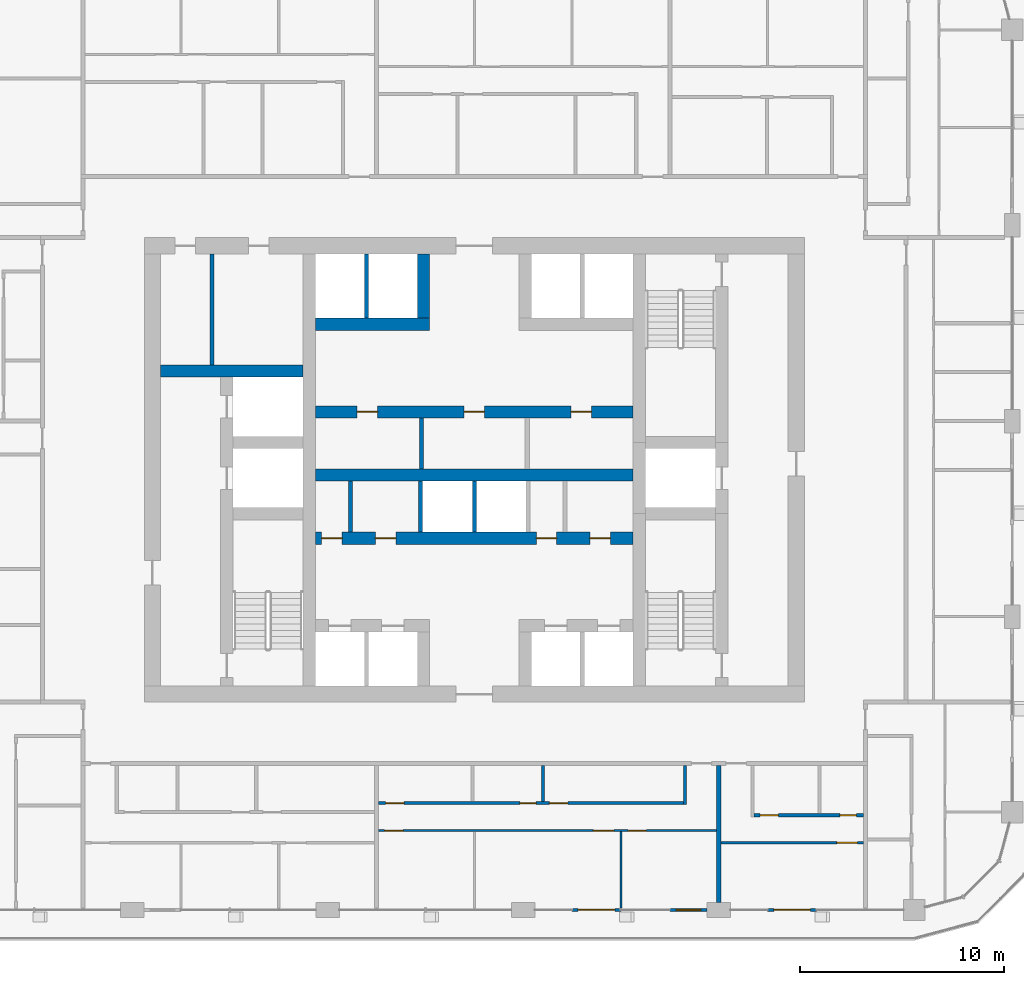
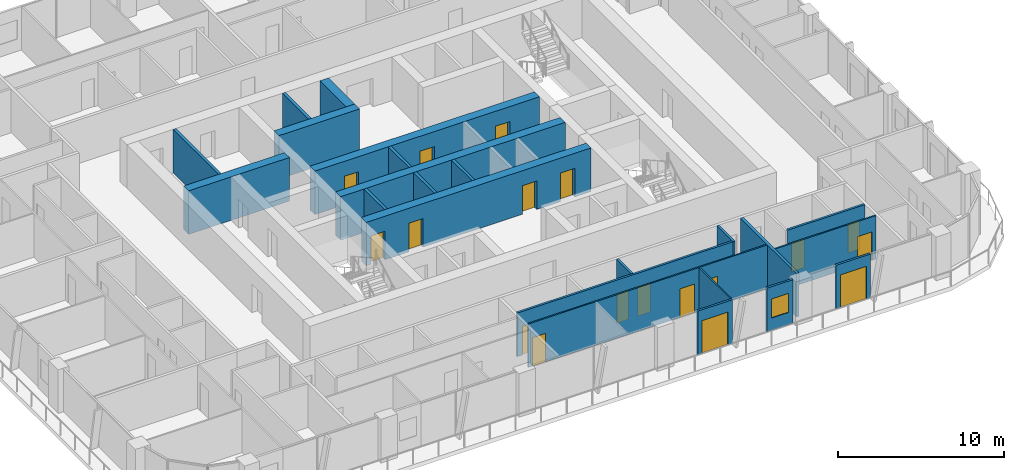
# One storey, part 11 of 22: 23 walls, 18 doors, 1 window, 19 openings.
"""IFC4 building model written with IfcOpenShell, lengths in metres."""

from ifc_helpers import new_model, si_unit, direction, frame, frame_2d, origin, place, context, subcontext, project, spatial, rectangle, extrude, material, layer, layer_set, type_object, element, fill, save


model = new_model("IFC4")

# Units and contexts
model_context = context("Model", 3, precision=1e-05, world=origin(), true_north=direction((0.0, 1.0)))
body_context = subcontext(model_context, "Body", "Model", "MODEL_VIEW")
ifc_project = project(units=[si_unit("LENGTHUNIT", "METRE"), si_unit("AREAUNIT", "SQUARE_METRE"), si_unit("VOLUMEUNIT", "CUBIC_METRE"), si_unit("PLANEANGLEUNIT", "RADIAN"), si_unit("MASSUNIT", "GRAM", prefix="KILO")], contexts=[model_context])

# Site, building, storey
site_placement = place(None, origin())
site = spatial("IfcSite", under=ifc_project, at=site_placement, CompositionType="ELEMENT")
building_placement = place(site_placement, origin())
building = spatial("IfcBuilding", under=site, at=building_placement, Name="Madar Terraces", CompositionType="ELEMENT")
storey_placement = place(building_placement, frame((0.0, 0.0, 122.60009765625)))
storey = spatial("IfcBuildingStorey", under=building, at=storey_placement, Name="L31", CompositionType="ELEMENT", Elevation=122.60009765625)

# Wall
ifc_material_1 = material(Name="Concrete C70/85", Category="concrete")
ifc_layer_1 = layer(ifc_material_1, 0.60009765625)
ifc_layer_set_1 = layer_set([ifc_layer_1], Name="Concrete C70/85 (CIW3 RC wall 600)")
wall_type_1 = type_object("IfcWallType", Name="CIW3 RC wall 600", PredefinedType="SHEAR", material=ifc_layer_set_1)
wall_1_placement = place(storey_placement, frame((15.800048828125, 31.25, 0.0), z_axis=(0.0, 0.0, 1.0), x_axis=(1.0, 0.0, 0.0)))
element("IfcWall", 1, at=wall_1_placement, inside=storey, type_object=wall_type_1, Name="CORE SHAFT WALL", PredefinedType="SHEAR", context=body_context, shape_type="SweptSolid", body=[
    extrude(rectangle(XDim=7.0, YDim=0.60009765625, at=frame_2d((3.5, 0.0))), origin(), (0.0, 0.0, 1.0), 3.199951171875),
])

# Wall, openings, doors
wall_2_placement = place(storey_placement, frame((23.39990234375, 23.050048828125, 0.0), z_axis=(0.0, 0.0, 1.0), x_axis=(1.0, 0.0, 0.0)))
wall_2 = element("IfcWall", 2, at=wall_2_placement, inside=storey, type_object=wall_type_1, Name="CORE SHAFT WALL", PredefinedType="SHEAR", context=body_context, shape_type="SweptSolid", body=[
    extrude(rectangle(XDim=15.60009765625, YDim=0.60009765625, at=frame_2d((7.800048828125, 0.0))), origin(), (0.0, 0.0, 1.0), 3.199951171875),
])
opening_1_placement = place(wall_2_placement, frame((0.311279296875, 0.0, 0.0)))
opening_1 = element("IfcOpeningElement", 3, at=opening_1_placement, cuts=wall_2, Name="Opening KD2", PredefinedType="OPENING", context=body_context, shape_type="SweptSolid", body=[
    extrude(rectangle(XDim=1.0, YDim=2.10009765625, at=frame_2d((0.5, 1.050048828125))), frame((0.0, 0.31005859375, 0.0), z_axis=(0.0, -1.0, 0.0), x_axis=(1.0, 0.0, 0.0)), (0.0, 0.0, 1.0), 0.6201171875),
])
opening_2_placement = place(wall_2_placement, frame((2.944580078125, 0.0, 0.0)))
opening_2 = element("IfcOpeningElement", 4, at=opening_2_placement, cuts=wall_2, Name="Opening KD2", PredefinedType="OPENING", context=body_context, shape_type="SweptSolid", body=[
    extrude(rectangle(XDim=1.0, YDim=2.10009765625, at=frame_2d((0.5, 1.050048828125))), frame((0.0, 0.31005859375, 0.0), z_axis=(0.0, -1.0, 0.0), x_axis=(1.0, 0.0, 0.0)), (0.0, 0.0, 1.0), 0.6201171875),
])
opening_3_placement = place(wall_2_placement, frame((10.8447265625, 0.0, 0.0)))
opening_3 = element("IfcOpeningElement", 5, at=opening_3_placement, cuts=wall_2, Name="Opening KD2", PredefinedType="OPENING", context=body_context, shape_type="SweptSolid", body=[
    extrude(rectangle(XDim=1.0, YDim=2.10009765625, at=frame_2d((0.5, 1.050048828125))), frame((0.0, 0.31005859375, 0.0), z_axis=(0.0, -1.0, 0.0), x_axis=(1.0, 0.0, 0.0)), (0.0, 0.0, 1.0), 0.6201171875),
])
opening_4_placement = place(wall_2_placement, frame((13.47802734375, 0.0, 0.0)))
opening_4 = element("IfcOpeningElement", 6, at=opening_4_placement, cuts=wall_2, Name="Opening KD2", PredefinedType="OPENING", context=body_context, shape_type="SweptSolid", body=[
    extrude(rectangle(XDim=1.0, YDim=2.10009765625, at=frame_2d((0.5, 1.050048828125))), frame((0.0, 0.31005859375, 0.0), z_axis=(0.0, -1.0, 0.0), x_axis=(1.0, 0.0, 0.0)), (0.0, 0.0, 1.0), 0.6201171875),
])
ifc_material_2 = material(Name="Steel door leaf", Category="steel")
door_type_1 = type_object("IfcDoorType", Name="Service room door 1000 x 2100", OperationType="NOTDEFINED", PredefinedType="DOOR", material=ifc_material_2)
door_1_placement = place(opening_1_placement, frame((1.0, 0.0, 0.0), z_axis=(0.0, 0.0, 1.0), x_axis=(-1.0, 0.0, 0.0)))
door_1 = element("IfcDoor", 7, at=door_1_placement, inside=storey, type_object=door_type_1, Name="SERVICE ROOM DOOR", OperationType="SINGLE_SWING_RIGHT", OverallHeight=2.10009765625, OverallWidth=1.0, PredefinedType="DOOR", context=body_context, shape_type="SweptSolid", body=[
    extrude(rectangle(XDim=1.0, YDim=2.10009765625, at=frame_2d((0.5, 1.050048828125))), frame((0.0, 0.02490234375, 0.0), z_axis=(0.0, -1.0, 0.0), x_axis=(1.0, 0.0, 0.0)), (0.0, 0.0, 1.0), 0.050048828125),
])
fill(opening_1, door_1)
door_2_placement = place(opening_2_placement, frame((1.0, 0.0, 0.0), z_axis=(0.0, 0.0, 1.0), x_axis=(-1.0, 0.0, 0.0)))
door_2 = element("IfcDoor", 8, at=door_2_placement, inside=storey, type_object=door_type_1, Name="SERVICE ROOM DOOR", OperationType="SINGLE_SWING_LEFT", OverallHeight=2.10009765625, OverallWidth=1.0, PredefinedType="DOOR", context=body_context, shape_type="SweptSolid", body=[
    extrude(rectangle(XDim=1.0, YDim=2.10009765625, at=frame_2d((0.5, 1.050048828125))), frame((0.0, 0.02490234375, 0.0), z_axis=(0.0, -1.0, 0.0), x_axis=(1.0, 0.0, 0.0)), (0.0, 0.0, 1.0), 0.050048828125),
])
fill(opening_2, door_2)
door_3_placement = place(opening_3_placement, frame((1.0, 0.0, 0.0), z_axis=(0.0, 0.0, 1.0), x_axis=(-1.0, 0.0, 0.0)))
door_3 = element("IfcDoor", 9, at=door_3_placement, inside=storey, type_object=door_type_1, Name="SERVICE ROOM DOOR", OperationType="SINGLE_SWING_RIGHT", OverallHeight=2.10009765625, OverallWidth=1.0, PredefinedType="DOOR", context=body_context, shape_type="SweptSolid", body=[
    extrude(rectangle(XDim=1.0, YDim=2.10009765625, at=frame_2d((0.5, 1.050048828125))), frame((0.0, 0.02490234375, 0.0), z_axis=(0.0, -1.0, 0.0), x_axis=(1.0, 0.0, 0.0)), (0.0, 0.0, 1.0), 0.050048828125),
])
fill(opening_3, door_3)
door_4_placement = place(opening_4_placement, frame((1.0, 0.0, 0.0), z_axis=(0.0, 0.0, 1.0), x_axis=(-1.0, 0.0, 0.0)))
door_4 = element("IfcDoor", 10, at=door_4_placement, inside=storey, type_object=door_type_1, Name="SERVICE ROOM DOOR", OperationType="SINGLE_SWING_LEFT", OverallHeight=2.10009765625, OverallWidth=1.0, PredefinedType="DOOR", context=body_context, shape_type="SweptSolid", body=[
    extrude(rectangle(XDim=1.0, YDim=2.10009765625, at=frame_2d((0.5, 1.050048828125))), frame((0.0, 0.02490234375, 0.0), z_axis=(0.0, -1.0, 0.0), x_axis=(1.0, 0.0, 0.0)), (0.0, 0.0, 1.0), 0.050048828125),
])
fill(opening_4, door_4)

# Wall
wall_3_placement = place(storey_placement, frame((23.39990234375, 26.14990234375, 0.0), z_axis=(0.0, 0.0, 1.0), x_axis=(1.0, 0.0, 0.0)))
element("IfcWall", 11, at=wall_3_placement, inside=storey, type_object=wall_type_1, Name="CORE SHAFT WALL", PredefinedType="SHEAR", context=body_context, shape_type="SweptSolid", body=[
    extrude(rectangle(XDim=15.60009765625, YDim=0.60009765625, at=frame_2d((7.800048828125, 0.0))), origin(), (0.0, 0.0, 1.0), 3.199951171875),
])

# Wall, openings, doors
wall_4_placement = place(storey_placement, frame((23.39990234375, 29.25, 0.0), z_axis=(0.0, 0.0, 1.0), x_axis=(1.0, 0.0, 0.0)))
wall_4 = element("IfcWall", 12, at=wall_4_placement, inside=storey, type_object=wall_type_1, Name="CORE SHAFT WALL", PredefinedType="SHEAR", context=body_context, shape_type="SweptSolid", body=[
    extrude(rectangle(XDim=15.60009765625, YDim=0.60009765625, at=frame_2d((7.800048828125, 0.0))), origin(), (0.0, 0.0, 1.0), 3.199951171875),
])
opening_5_placement = place(wall_4_placement, frame((2.050048828125, 0.0, 0.0)))
opening_5 = element("IfcOpeningElement", 13, at=opening_5_placement, cuts=wall_4, Name="Opening KD2", PredefinedType="OPENING", context=body_context, shape_type="SweptSolid", body=[
    extrude(rectangle(XDim=1.0, YDim=2.10009765625, at=frame_2d((0.5, 1.050048828125))), frame((0.0, 0.31005859375, 0.0), z_axis=(0.0, -1.0, 0.0), x_axis=(1.0, 0.0, 0.0)), (0.0, 0.0, 1.0), 0.6201171875),
])
opening_6_placement = place(wall_4_placement, frame((7.300048828125, 0.0, 0.0)))
opening_6 = element("IfcOpeningElement", 14, at=opening_6_placement, cuts=wall_4, Name="Opening KD2", PredefinedType="OPENING", context=body_context, shape_type="SweptSolid", body=[
    extrude(rectangle(XDim=1.0, YDim=2.10009765625, at=frame_2d((0.5, 1.050048828125))), frame((0.0, 0.31005859375, 0.0), z_axis=(0.0, -1.0, 0.0), x_axis=(1.0, 0.0, 0.0)), (0.0, 0.0, 1.0), 0.6201171875),
])
opening_7_placement = place(wall_4_placement, frame((12.550048828125, 0.0, 0.0)))
opening_7 = element("IfcOpeningElement", 15, at=opening_7_placement, cuts=wall_4, Name="Opening KD2", PredefinedType="OPENING", context=body_context, shape_type="SweptSolid", body=[
    extrude(rectangle(XDim=1.0, YDim=2.10009765625, at=frame_2d((0.5, 1.050048828125))), frame((0.0, 0.31005859375, 0.0), z_axis=(0.0, -1.0, 0.0), x_axis=(1.0, 0.0, 0.0)), (0.0, 0.0, 1.0), 0.6201171875),
])
door_5_placement = place(opening_5_placement, origin())
door_5 = element("IfcDoor", 16, at=door_5_placement, inside=storey, type_object=door_type_1, Name="SERVICE ROOM DOOR", OperationType="SINGLE_SWING_RIGHT", OverallHeight=2.10009765625, OverallWidth=1.0, PredefinedType="DOOR", context=body_context, shape_type="SweptSolid", body=[
    extrude(rectangle(XDim=1.0, YDim=2.10009765625, at=frame_2d((0.5, 1.050048828125))), frame((0.0, 0.02490234375, 0.0), z_axis=(0.0, -1.0, 0.0), x_axis=(1.0, 0.0, 0.0)), (0.0, 0.0, 1.0), 0.050048828125),
])
fill(opening_5, door_5)
door_6_placement = place(opening_6_placement, origin())
door_6 = element("IfcDoor", 17, at=door_6_placement, inside=storey, type_object=door_type_1, Name="SERVICE ROOM DOOR", OperationType="SINGLE_SWING_LEFT", OverallHeight=2.10009765625, OverallWidth=1.0, PredefinedType="DOOR", context=body_context, shape_type="SweptSolid", body=[
    extrude(rectangle(XDim=1.0, YDim=2.10009765625, at=frame_2d((0.5, 1.050048828125))), frame((0.0, 0.02490234375, 0.0), z_axis=(0.0, -1.0, 0.0), x_axis=(1.0, 0.0, 0.0)), (0.0, 0.0, 1.0), 0.050048828125),
])
fill(opening_6, door_6)
door_7_placement = place(opening_7_placement, origin())
door_7 = element("IfcDoor", 18, at=door_7_placement, inside=storey, type_object=door_type_1, Name="SERVICE ROOM DOOR", OperationType="SINGLE_SWING_RIGHT", OverallHeight=2.10009765625, OverallWidth=1.0, PredefinedType="DOOR", context=body_context, shape_type="SweptSolid", body=[
    extrude(rectangle(XDim=1.0, YDim=2.10009765625, at=frame_2d((0.5, 1.050048828125))), frame((0.0, 0.02490234375, 0.0), z_axis=(0.0, -1.0, 0.0), x_axis=(1.0, 0.0, 0.0)), (0.0, 0.0, 1.0), 0.050048828125),
])
fill(opening_7, door_7)

# Walls
wall_5_placement = place(storey_placement, frame((23.39990234375, 33.550048828125, 0.0), z_axis=(0.0, 0.0, 1.0), x_axis=(1.0, 0.0, 0.0)))
element("IfcWall", 19, at=wall_5_placement, inside=storey, type_object=wall_type_1, Name="CORE SHAFT WALL", PredefinedType="SHEAR", context=body_context, shape_type="SweptSolid", body=[
    extrude(rectangle(XDim=5.60009765625, YDim=0.60009765625, at=frame_2d((2.800048828125, 0.0))), origin(), (0.0, 0.0, 1.0), 3.199951171875),
])
wall_6_placement = place(storey_placement, frame((28.699951171875, 33.85009765625, 0.0), z_axis=(0.0, 0.0, 1.0), x_axis=(0.0, 1.0, 0.0)))
element("IfcWall", 20, at=wall_6_placement, inside=storey, type_object=wall_type_1, Name="CORE SHAFT WALL", PredefinedType="SHEAR", context=body_context, shape_type="SweptSolid", body=[
    extrude(rectangle(XDim=3.14990234375, YDim=0.60009765625, at=frame_2d((1.574951171875, 0.0))), origin(), (0.0, 0.0, 1.0), 3.199951171875),
])
ifc_material_3 = material(Name="Masonry blockwork", Category="masonry")
ifc_layer_2 = layer(ifc_material_3, 0.199951171875)
ifc_layer_set_2 = layer_set([ifc_layer_2], Name="Core partition 200 blockwork")
wall_type_2 = type_object("IfcWallType", Name="Core partition 200 blockwork", PredefinedType="PARTITIONING", material=ifc_layer_set_2)
wall_7_placement = place(storey_placement, frame((18.320068359375, 31.550048828125, 0.0), z_axis=(0.0, 0.0, 1.0), x_axis=(0.0, 1.0, 0.0)))
element("IfcWall", 21, at=wall_7_placement, inside=storey, type_object=wall_type_2, Name="SERVICE ROOM PARTITION", PredefinedType="PARTITIONING", context=body_context, shape_type="SweptSolid", body=[
    extrude(rectangle(XDim=5.449951171875, YDim=0.199951171875, at=frame_2d((2.72509765625, 0.0))), origin(), (0.0, 0.0, 1.0), 3.199951171875),
])
for number, where, z_axis, x_axis, name in (
    (22, (25.12255859375, 23.35009765625, 0.0), (0.0, 0.0, 1.0), (0.0, 1.0, 0.0), "SERVICE ROOM PARTITION"),
    (23, (28.60009765625, 26.449951171875, 0.0), (0.0, 0.0, 1.0), (0.0, 1.0, 0.0), "SERVICE ROOM PARTITION"),
):
    element("IfcWall", number, at=place(storey_placement, frame(where, z_axis=z_axis, x_axis=x_axis)), inside=storey, type_object=wall_type_2, Name=name, PredefinedType="PARTITIONING", context=body_context, shape_type="SweptSolid", body=[
        extrude(rectangle(XDim=2.5, YDim=0.199951171875, at=frame_2d((1.25, 0.0))), origin(), (0.0, 0.0, 1.0), 3.199951171875),
    ])
ifc_material_4 = material(Name="Concrete C40/50", Category="concrete")
ifc_layer_3 = layer(ifc_material_4, 0.199951171875)
ifc_layer_set_3 = layer_set([ifc_layer_3], Name="Core shaft dividing wall 200 C40/50")
wall_type_3 = type_object("IfcWallType", Name="Core shaft dividing wall 200 C40/50", PredefinedType="SOLIDWALL", material=ifc_layer_set_3)
for number, where, z_axis, x_axis, name in (
    (24, (28.566650390625, 23.35009765625, 0.0), (0.0, 0.0, 1.0), (0.0, 1.0, 0.0), "SHAFT DIVIDING WALL"),
    (25, (31.199951171875, 23.35009765625, 0.0), (0.0, 0.0, 1.0), (0.0, 1.0, 0.0), "SHAFT DIVIDING WALL"),
):
    element("IfcWall", number, at=place(storey_placement, frame(where, z_axis=z_axis, x_axis=x_axis)), inside=storey, type_object=wall_type_3, Name=name, PredefinedType="SOLIDWALL", context=body_context, shape_type="SweptSolid", body=[
        extrude(rectangle(XDim=2.5, YDim=0.199951171875, at=frame_2d((1.25, 0.0))), origin(), (0.0, 0.0, 1.0), 3.199951171875),
    ])
wall_8_placement = place(storey_placement, frame((25.89990234375, 33.85009765625, 0.0), z_axis=(0.0, 0.0, 1.0), x_axis=(0.0, 1.0, 0.0)))
element("IfcWall", 26, at=wall_8_placement, inside=storey, type_object=wall_type_3, Name="SHAFT DIVIDING WALL", PredefinedType="SOLIDWALL", context=body_context, shape_type="SweptSolid", body=[
    extrude(rectangle(XDim=3.14990234375, YDim=0.199951171875, at=frame_2d((1.574951171875, 0.0))), origin(), (0.0, 0.0, 1.0), 3.199951171875),
])

# Wall, opening, door
ifc_material_5 = material(Name="Aluminium composite panel, black, over insulated backing", Category="aluminium")
ifc_layer_4 = layer(ifc_material_5, 0.14990234375)
ifc_layer_set_4 = layer_set([ifc_layer_4], Name="Facade bay panel 150")
wall_type_4 = type_object("IfcWallType", Name="Facade bay panel 150", PredefinedType="SOLIDWALL", material=ifc_layer_set_4)
wall_9_placement = place(storey_placement, frame((36.0, 4.800048828125, 0.0), z_axis=(0.0, 0.0, 1.0), x_axis=(1.0, 0.0, 0.0)))
wall_9 = element("IfcWall", 27, at=wall_9_placement, inside=storey, type_object=wall_type_4, Name="Facade bay panel", PredefinedType="SOLIDWALL", context=body_context, shape_type="SweptSolid", body=[
    extrude(rectangle(XDim=2.39990234375, YDim=0.14990234375, at=frame_2d((1.199951171875, 0.0))), origin(), (0.0, 0.0, 1.0), 3.199951171875),
])
opening_8_placement = place(wall_9_placement, frame((0.300048828125, 0.0, 0.0)))
opening_8 = element("IfcOpeningElement", 28, at=opening_8_placement, cuts=wall_9, Name="Opening ED1", PredefinedType="OPENING", context=body_context, shape_type="SweptSolid", body=[
    extrude(rectangle(XDim=1.800048828125, YDim=2.39990234375, at=frame_2d((0.89990234375, 1.199951171875))), frame((0.0, 0.0849609375, 0.0), z_axis=(0.0, -1.0, 0.0), x_axis=(1.0, 0.0, 0.0)), (0.0, 0.0, 1.0), 0.169921875),
])
ifc_material_6 = material(Name="Glass, clear, with black aluminium frame", Category="aluminium")
door_type_2 = type_object("IfcDoorType", Name="Balcony and terrace sliding door 1800 x 2400", OperationType="SLIDING_TO_LEFT", PredefinedType="DOOR", material=ifc_material_6)
door_8_placement = place(opening_8_placement, origin())
door_8 = element("IfcDoor", 29, at=door_8_placement, inside=storey, type_object=door_type_2, Name="Balcony door", OperationType="SLIDING_TO_LEFT", OverallHeight=2.39990234375, OverallWidth=1.800048828125, PredefinedType="DOOR", context=body_context, shape_type="SweptSolid", body=[
    extrude(rectangle(XDim=1.800048828125, YDim=2.39990234375, at=frame_2d((0.89990234375, 1.199951171875))), frame((0.0, 0.02490234375, 0.0), z_axis=(0.0, -1.0, 0.0), x_axis=(1.0, 0.0, 0.0)), (0.0, 0.0, 1.0), 0.050048828125),
])
fill(opening_8, door_8)

# Wall, opening, window
wall_10_placement = place(storey_placement, frame((40.800048828125, 4.800048828125, 0.0), z_axis=(0.0, 0.0, 1.0), x_axis=(1.0, 0.0, 0.0)))
wall_10 = element("IfcWall", 30, at=wall_10_placement, inside=storey, type_object=wall_type_4, Name="Facade bay panel", PredefinedType="SOLIDWALL", context=body_context, shape_type="SweptSolid", body=[
    extrude(rectangle(XDim=1.824951171875, YDim=0.14990234375, at=frame_2d((0.91259765625, 0.0))), origin(), (0.0, 0.0, 1.0), 3.199951171875),
])
opening_9_placement = place(wall_10_placement, frame((0.3125, 0.0, 0.89990234375)))
opening_9 = element("IfcOpeningElement", 31, at=opening_9_placement, cuts=wall_10, Name="Opening W1", PredefinedType="OPENING", context=body_context, shape_type="SweptSolid", body=[
    extrude(rectangle(XDim=1.199951171875, YDim=1.39990234375, at=frame_2d((0.60009765625, 0.699951171875))), frame((0.0, 0.0849609375, 0.0), z_axis=(0.0, -1.0, 0.0), x_axis=(1.0, 0.0, 0.0)), (0.0, 0.0, 1.0), 0.169921875),
])
ifc_material_7 = material(Name="Glass, clear, with black aluminium frame", Category="aluminium")
window_type = type_object("IfcWindowType", Name="Vent window 1200 x 1400", PartitioningType="SINGLE_PANEL", PredefinedType="WINDOW", material=ifc_material_7)
window_placement = place(opening_9_placement, origin())
window = element("IfcWindow", 32, at=window_placement, inside=storey, type_object=window_type, Name="Operable vent window", OverallHeight=1.39990234375, OverallWidth=1.199951171875, PartitioningType="SINGLE_PANEL", PredefinedType="WINDOW", context=body_context, shape_type="SweptSolid", body=[
    extrude(rectangle(XDim=1.199951171875, YDim=1.39990234375, at=frame_2d((0.60009765625, 0.699951171875))), frame((0.0, 0.030029296875, 0.0), z_axis=(0.0, -1.0, 0.0), x_axis=(1.0, 0.0, 0.0)), (0.0, 0.0, 1.0), 0.06005859375),
])
fill(opening_9, window)

# Wall, opening, door
wall_11_placement = place(storey_placement, frame((45.60009765625, 4.800048828125, 0.0), z_axis=(0.0, 0.0, 1.0), x_axis=(1.0, 0.0, 0.0)))
wall_11 = element("IfcWall", 33, at=wall_11_placement, inside=storey, type_object=wall_type_4, Name="Facade bay panel", PredefinedType="SOLIDWALL", context=body_context, shape_type="SweptSolid", body=[
    extrude(rectangle(XDim=2.39990234375, YDim=0.14990234375, at=frame_2d((1.199951171875, 0.0))), origin(), (0.0, 0.0, 1.0), 3.199951171875),
])
opening_10_placement = place(wall_11_placement, frame((0.300048828125, 0.0, 0.0)))
opening_10 = element("IfcOpeningElement", 34, at=opening_10_placement, cuts=wall_11, Name="Opening ED1", PredefinedType="OPENING", context=body_context, shape_type="SweptSolid", body=[
    extrude(rectangle(XDim=1.800048828125, YDim=2.39990234375, at=frame_2d((0.89990234375, 1.199951171875))), frame((0.0, 0.0849609375, 0.0), z_axis=(0.0, -1.0, 0.0), x_axis=(1.0, 0.0, 0.0)), (0.0, 0.0, 1.0), 0.169921875),
])
door_9_placement = place(opening_10_placement, origin())
door_9 = element("IfcDoor", 35, at=door_9_placement, inside=storey, type_object=door_type_2, Name="Balcony door", OperationType="SLIDING_TO_RIGHT", OverallHeight=2.39990234375, OverallWidth=1.800048828125, PredefinedType="DOOR", context=body_context, shape_type="SweptSolid", body=[
    extrude(rectangle(XDim=1.800048828125, YDim=2.39990234375, at=frame_2d((0.89990234375, 1.199951171875))), frame((0.0, 0.02490234375, 0.0), z_axis=(0.0, -1.0, 0.0), x_axis=(1.0, 0.0, 0.0)), (0.0, 0.0, 1.0), 0.050048828125),
])
fill(opening_10, door_9)

# Wall
ifc_material_8 = material(Name="Gypsum board on steel studs", Category="steel")
ifc_layer_5 = layer(ifc_material_8, 0.10009765625)
ifc_layer_set_5 = layer_set([ifc_layer_5], Name="Flat partition 100")
wall_type_5 = type_object("IfcWallType", Name="Flat partition 100", PredefinedType="PARTITIONING", material=ifc_layer_set_5)
wall_12_placement = place(storey_placement, frame((38.39990234375, 8.64990234375, 0.0), z_axis=(0.0, 0.0, 1.0), x_axis=(0.0, -1.0, 0.0)))
element("IfcWall", 36, at=wall_12_placement, inside=storey, type_object=wall_type_5, Name="Flat partition 100", PredefinedType="PARTITIONING", context=body_context, shape_type="SweptSolid", body=[
    extrude(rectangle(XDim=3.75, YDim=0.10009765625, at=frame_2d((1.875, 0.0))), origin(), (0.0, 0.0, 1.0), 3.199951171875),
])

# Wall, openings, doors
wall_13_placement = place(storey_placement, frame((43.10009765625, 8.699951171875, 0.0), z_axis=(0.0, 0.0, 1.0), x_axis=(-1.0, 0.0, 0.0)))
wall_13 = element("IfcWall", 37, at=wall_13_placement, inside=storey, type_object=wall_type_5, Name="Flat partition 100", PredefinedType="PARTITIONING", context=body_context, shape_type="SweptSolid", body=[
    extrude(rectangle(XDim=16.60009765625, YDim=0.10009765625, at=frame_2d((8.300048828125, 0.0))), origin(), (0.0, 0.0, 1.0), 3.199951171875),
])
opening_11_placement = place(wall_13_placement, frame((3.449951171875, 0.0, 0.0)))
opening_11 = element("IfcOpeningElement", 38, at=opening_11_placement, cuts=wall_13, Name="Opening D2", PredefinedType="OPENING", context=body_context, shape_type="SweptSolid", body=[
    extrude(rectangle(XDim=0.89990234375, YDim=2.10009765625, at=frame_2d((0.449951171875, 1.050048828125))), frame((0.0, 0.06005859375, 0.0), z_axis=(0.0, -1.0, 0.0), x_axis=(1.0, 0.0, 0.0)), (0.0, 0.0, 1.0), 0.1201171875),
])
opening_12_placement = place(wall_13_placement, frame((5.050048828125, 0.0, 0.0)))
opening_12 = element("IfcOpeningElement", 39, at=opening_12_placement, cuts=wall_13, Name="Opening D3", PredefinedType="OPENING", context=body_context, shape_type="SweptSolid", body=[
    extrude(rectangle(XDim=1.0, YDim=2.10009765625, at=frame_2d((0.5, 1.050048828125))), frame((0.0, 0.06005859375, 0.0), z_axis=(0.0, -1.0, 0.0), x_axis=(1.0, 0.0, 0.0)), (0.0, 0.0, 1.0), 0.1201171875),
])
opening_13_placement = place(wall_13_placement, frame((15.39990234375, 0.0, 0.0)))
opening_13 = element("IfcOpeningElement", 40, at=opening_13_placement, cuts=wall_13, Name="Opening D2", PredefinedType="OPENING", context=body_context, shape_type="SweptSolid", body=[
    extrude(rectangle(XDim=0.89990234375, YDim=2.10009765625, at=frame_2d((0.449951171875, 1.050048828125))), frame((0.0, 0.06005859375, 0.0), z_axis=(0.0, -1.0, 0.0), x_axis=(1.0, 0.0, 0.0)), (0.0, 0.0, 1.0), 0.1201171875),
])
ifc_material_9 = material(Name="Timber door leaf", Category="wood")
door_type_3 = type_object("IfcDoorType", Name="Flat living room door 1000", OperationType="NOTDEFINED", PredefinedType="DOOR", material=ifc_material_9)
door_10_placement = place(opening_12_placement, origin())
door_10 = element("IfcDoor", 41, at=door_10_placement, inside=storey, type_object=door_type_3, Name="Flat living room door 1000", OperationType="SINGLE_SWING_LEFT", OverallHeight=2.10009765625, OverallWidth=1.0, PredefinedType="DOOR", context=body_context, shape_type="SweptSolid", body=[
    extrude(rectangle(XDim=1.0, YDim=2.10009765625, at=frame_2d((0.5, 1.050048828125))), frame((0.0, 0.02490234375, 0.0), z_axis=(0.0, -1.0, 0.0), x_axis=(1.0, 0.0, 0.0)), (0.0, 0.0, 1.0), 0.050048828125),
])
fill(opening_12, door_10)
ifc_material_10 = material(Name="Timber door leaf", Category="wood")
door_type_4 = type_object("IfcDoorType", Name="Flat room door 900", OperationType="NOTDEFINED", PredefinedType="DOOR", material=ifc_material_10)
door_11_placement = place(opening_11_placement, origin())
door_11 = element("IfcDoor", 42, at=door_11_placement, inside=storey, type_object=door_type_4, Name="Flat room door 900", OperationType="SINGLE_SWING_RIGHT", OverallHeight=2.10009765625, OverallWidth=0.89990234375, PredefinedType="DOOR", context=body_context, shape_type="SweptSolid", body=[
    extrude(rectangle(XDim=0.89990234375, YDim=2.10009765625, at=frame_2d((0.449951171875, 1.050048828125))), frame((0.0, 0.02490234375, 0.0), z_axis=(0.0, -1.0, 0.0), x_axis=(1.0, 0.0, 0.0)), (0.0, 0.0, 1.0), 0.050048828125),
])
fill(opening_11, door_11)
door_12_placement = place(opening_13_placement, origin())
door_12 = element("IfcDoor", 43, at=door_12_placement, inside=storey, type_object=door_type_4, Name="Flat room door 900", OperationType="SINGLE_SWING_RIGHT", OverallHeight=2.10009765625, OverallWidth=0.89990234375, PredefinedType="DOOR", context=body_context, shape_type="SweptSolid", body=[
    extrude(rectangle(XDim=0.89990234375, YDim=2.10009765625, at=frame_2d((0.449951171875, 1.050048828125))), frame((0.0, 0.02490234375, 0.0), z_axis=(0.0, -1.0, 0.0), x_axis=(1.0, 0.0, 0.0)), (0.0, 0.0, 1.0), 0.050048828125),
])
fill(opening_13, door_12)

# Wall, opening, door
wall_14_placement = place(storey_placement, frame((50.300048828125, 8.10009765625, 0.0), z_axis=(0.0, 0.0, 1.0), x_axis=(-1.0, 0.0, 0.0)))
wall_14 = element("IfcWall", 44, at=wall_14_placement, inside=storey, type_object=wall_type_5, Name="Flat partition 100", PredefinedType="PARTITIONING", context=body_context, shape_type="SweptSolid", body=[
    extrude(rectangle(XDim=7.0, YDim=0.10009765625, at=frame_2d((3.5, 0.0))), origin(), (0.0, 0.0, 1.0), 3.199951171875),
])
opening_14_placement = place(wall_14_placement, frame((0.300048828125, 0.0, 0.0)))
opening_14 = element("IfcOpeningElement", 45, at=opening_14_placement, cuts=wall_14, Name="Opening D3", PredefinedType="OPENING", context=body_context, shape_type="SweptSolid", body=[
    extrude(rectangle(XDim=1.0, YDim=2.10009765625, at=frame_2d((0.5, 1.050048828125))), frame((0.0, 0.06005859375, 0.0), z_axis=(0.0, -1.0, 0.0), x_axis=(1.0, 0.0, 0.0)), (0.0, 0.0, 1.0), 0.1201171875),
])
door_13_placement = place(opening_14_placement, origin())
door_13 = element("IfcDoor", 46, at=door_13_placement, inside=storey, type_object=door_type_3, Name="Flat living room door 1000", OperationType="SINGLE_SWING_LEFT", OverallHeight=2.10009765625, OverallWidth=1.0, PredefinedType="DOOR", context=body_context, shape_type="SweptSolid", body=[
    extrude(rectangle(XDim=1.0, YDim=2.10009765625, at=frame_2d((0.5, 1.050048828125))), frame((0.0, 0.02490234375, 0.0), z_axis=(0.0, -1.0, 0.0), x_axis=(1.0, 0.0, 0.0)), (0.0, 0.0, 1.0), 0.050048828125),
])
fill(opening_14, door_13)

# Walls
ifc_material_11 = material(Name="Lightweight blockwork", Category="masonry")
ifc_layer_6 = layer(ifc_material_11, 0.199951171875)
ifc_layer_set_6 = layer_set([ifc_layer_6], Name="Flat party and entrance wall 200")
wall_type_6 = type_object("IfcWallType", Name="Flat party and entrance wall 200", PredefinedType="PARTITIONING", material=ifc_layer_set_6)
wall_15_placement = place(storey_placement, frame((43.199951171875, 11.89990234375, 0.0), z_axis=(0.0, 0.0, 1.0), x_axis=(0.0, -1.0, 0.0)))
element("IfcWall", 47, at=wall_15_placement, inside=storey, type_object=wall_type_6, Name="Flat party and entrance wall 200", PredefinedType="PARTITIONING", context=body_context, shape_type="SweptSolid", body=[
    extrude(rectangle(XDim=6.724853515625, YDim=0.199951171875, at=frame_2d((3.3623046875, 0.0))), origin(), (0.0, 0.0, 1.0), 3.199951171875),
])
ifc_material_12 = material(Name="Lightweight blockwork", Category="masonry")
ifc_layer_7 = layer(ifc_material_12, 0.14990234375)
ifc_layer_set_7 = layer_set([ifc_layer_7], Name="Flat wet-room partition 150")
wall_type_7 = type_object("IfcWallType", Name="Flat wet-room partition 150", PredefinedType="PARTITIONING", material=ifc_layer_set_7)
wall_16_placement = place(storey_placement, frame((34.5634765625, 11.89990234375, 0.0), z_axis=(0.0, 0.0, 1.0), x_axis=(0.0, -1.0, 0.0)))
element("IfcWall", 48, at=wall_16_placement, inside=storey, type_object=wall_type_7, Name="Flat wet-room partition 150", PredefinedType="PARTITIONING", context=body_context, shape_type="SweptSolid", body=[
    extrude(rectangle(XDim=1.77490234375, YDim=0.14990234375, at=frame_2d((0.887451171875, 0.0))), origin(), (0.0, 0.0, 1.0), 3.199951171875),
])
wall_17_placement = place(storey_placement, frame((41.550048828125, 11.89990234375, 0.0), z_axis=(0.0, 0.0, 1.0), x_axis=(0.0, -1.0, 0.0)))
element("IfcWall", 49, at=wall_17_placement, inside=storey, type_object=wall_type_7, Name="Flat wet-room partition 150", PredefinedType="PARTITIONING", context=body_context, shape_type="SweptSolid", body=[
    extrude(rectangle(XDim=1.9248046875, YDim=0.14990234375, at=frame_2d((0.96240234375, 0.0))), origin(), (0.0, 0.0, 1.0), 3.199951171875),
])

# Wall, openings, doors
wall_18_placement = place(storey_placement, frame((26.5, 10.050048828125, 0.0), z_axis=(0.0, 0.0, 1.0), x_axis=(1.0, 0.0, 0.0)))
wall_18 = element("IfcWall", 50, at=wall_18_placement, inside=storey, type_object=wall_type_7, Name="Flat wet-room partition 150", PredefinedType="PARTITIONING", context=body_context, shape_type="SweptSolid", body=[
    extrude(rectangle(XDim=14.97509765625, YDim=0.14990234375, at=frame_2d((7.487548828125, 0.0))), origin(), (0.0, 0.0, 1.0), 3.199951171875),
])
opening_15_placement = place(wall_18_placement, frame((8.388427734375, 0.0, 0.0)))
opening_15 = element("IfcOpeningElement", 51, at=opening_15_placement, cuts=wall_18, Name="Opening D2", PredefinedType="OPENING", context=body_context, shape_type="SweptSolid", body=[
    extrude(rectangle(XDim=0.89990234375, YDim=2.10009765625, at=frame_2d((0.449951171875, 1.050048828125))), frame((0.0, 0.0849609375, 0.0), z_axis=(0.0, -1.0, 0.0), x_axis=(1.0, 0.0, 0.0)), (0.0, 0.0, 1.0), 0.169921875),
])
opening_16_placement = place(wall_18_placement, frame((6.9384765625, 0.0, 0.0)))
opening_16 = element("IfcOpeningElement", 52, at=opening_16_placement, cuts=wall_18, Name="Opening D4", PredefinedType="OPENING", context=body_context, shape_type="SweptSolid", body=[
    extrude(rectangle(XDim=0.800048828125, YDim=2.10009765625, at=frame_2d((0.39990234375, 1.050048828125))), frame((0.0, 0.0849609375, 0.0), z_axis=(0.0, -1.0, 0.0), x_axis=(1.0, 0.0, 0.0)), (0.0, 0.0, 1.0), 0.169921875),
])
opening_17_placement = place(wall_18_placement, frame((0.35009765625, 0.0, 0.0)))
opening_17 = element("IfcOpeningElement", 53, at=opening_17_placement, cuts=wall_18, Name="Opening D5", PredefinedType="OPENING", context=body_context, shape_type="SweptSolid", body=[
    extrude(rectangle(XDim=0.89990234375, YDim=2.10009765625, at=frame_2d((0.449951171875, 1.050048828125))), frame((0.0, 0.0849609375, 0.0), z_axis=(0.0, -1.0, 0.0), x_axis=(1.0, 0.0, 0.0)), (0.0, 0.0, 1.0), 0.169921875),
])
ifc_material_13 = material(Name="Timber door leaf", Category="wood")
door_type_5 = type_object("IfcDoorType", Name="Flat accessible bathroom door 900", OperationType="NOTDEFINED", PredefinedType="DOOR", material=ifc_material_13)
door_14_placement = place(opening_17_placement, origin())
door_14 = element("IfcDoor", 54, at=door_14_placement, inside=storey, type_object=door_type_5, Name="Flat accessible bathroom door 900", OperationType="SINGLE_SWING_LEFT", OverallHeight=2.10009765625, OverallWidth=0.89990234375, PredefinedType="DOOR", context=body_context, shape_type="SweptSolid", body=[
    extrude(rectangle(XDim=0.89990234375, YDim=2.10009765625, at=frame_2d((0.449951171875, 1.050048828125))), frame((0.0, 0.02490234375, 0.0), z_axis=(0.0, -1.0, 0.0), x_axis=(1.0, 0.0, 0.0)), (0.0, 0.0, 1.0), 0.050048828125),
])
fill(opening_17, door_14)
ifc_material_14 = material(Name="Timber door leaf", Category="wood")
door_type_6 = type_object("IfcDoorType", Name="Flat bathroom door 800", OperationType="NOTDEFINED", PredefinedType="DOOR", material=ifc_material_14)
door_15_placement = place(opening_16_placement, origin())
door_15 = element("IfcDoor", 55, at=door_15_placement, inside=storey, type_object=door_type_6, Name="Flat bathroom door 800", OperationType="SINGLE_SWING_RIGHT", OverallHeight=2.10009765625, OverallWidth=0.800048828125, PredefinedType="DOOR", context=body_context, shape_type="SweptSolid", body=[
    extrude(rectangle(XDim=0.800048828125, YDim=2.10009765625, at=frame_2d((0.39990234375, 1.050048828125))), frame((0.0, 0.02490234375, 0.0), z_axis=(0.0, -1.0, 0.0), x_axis=(1.0, 0.0, 0.0)), (0.0, 0.0, 1.0), 0.050048828125),
])
fill(opening_16, door_15)
door_16_placement = place(opening_15_placement, origin())
door_16 = element("IfcDoor", 56, at=door_16_placement, inside=storey, type_object=door_type_4, Name="Flat room door 900", OperationType="SINGLE_SWING_LEFT", OverallHeight=2.10009765625, OverallWidth=0.89990234375, PredefinedType="DOOR", context=body_context, shape_type="SweptSolid", body=[
    extrude(rectangle(XDim=0.89990234375, YDim=2.10009765625, at=frame_2d((0.449951171875, 1.050048828125))), frame((0.0, 0.02490234375, 0.0), z_axis=(0.0, -1.0, 0.0), x_axis=(1.0, 0.0, 0.0)), (0.0, 0.0, 1.0), 0.050048828125),
])
fill(opening_15, door_16)

wall_19_placement = place(storey_placement, frame((44.925048828125, 9.449951171875, 0.0), z_axis=(0.0, 0.0, 1.0), x_axis=(1.0, 0.0, 0.0)))
wall_19 = element("IfcWall", 57, at=wall_19_placement, inside=storey, type_object=wall_type_7, Name="Flat wet-room partition 150", PredefinedType="PARTITIONING", context=body_context, shape_type="SweptSolid", body=[
    extrude(rectangle(XDim=5.375, YDim=0.14990234375, at=frame_2d((2.6875, 0.0))), origin(), (0.0, 0.0, 1.0), 3.199951171875),
])
opening_18_placement = place(wall_19_placement, frame((0.300048828125, 0.0, 0.0)))
opening_18 = element("IfcOpeningElement", 58, at=opening_18_placement, cuts=wall_19, Name="Opening D2", PredefinedType="OPENING", context=body_context, shape_type="SweptSolid", body=[
    extrude(rectangle(XDim=0.89990234375, YDim=2.10009765625, at=frame_2d((0.449951171875, 1.050048828125))), frame((0.0, 0.0849609375, 0.0), z_axis=(0.0, -1.0, 0.0), x_axis=(1.0, 0.0, 0.0)), (0.0, 0.0, 1.0), 0.169921875),
])
opening_19_placement = place(wall_19_placement, frame((4.22509765625, 0.0, 0.0)))
opening_19 = element("IfcOpeningElement", 59, at=opening_19_placement, cuts=wall_19, Name="Opening D4", PredefinedType="OPENING", context=body_context, shape_type="SweptSolid", body=[
    extrude(rectangle(XDim=0.800048828125, YDim=2.10009765625, at=frame_2d((0.39990234375, 1.050048828125))), frame((0.0, 0.0849609375, 0.0), z_axis=(0.0, -1.0, 0.0), x_axis=(1.0, 0.0, 0.0)), (0.0, 0.0, 1.0), 0.169921875),
])
door_17_placement = place(opening_19_placement, origin())
door_17 = element("IfcDoor", 60, at=door_17_placement, inside=storey, type_object=door_type_6, Name="Flat bathroom door 800", OperationType="SINGLE_SWING_RIGHT", OverallHeight=2.10009765625, OverallWidth=0.800048828125, PredefinedType="DOOR", context=body_context, shape_type="SweptSolid", body=[
    extrude(rectangle(XDim=0.800048828125, YDim=2.10009765625, at=frame_2d((0.39990234375, 1.050048828125))), frame((0.0, 0.02490234375, 0.0), z_axis=(0.0, -1.0, 0.0), x_axis=(1.0, 0.0, 0.0)), (0.0, 0.0, 1.0), 0.050048828125),
])
fill(opening_19, door_17)
door_18_placement = place(opening_18_placement, origin())
door_18 = element("IfcDoor", 61, at=door_18_placement, inside=storey, type_object=door_type_4, Name="Flat room door 900", OperationType="SINGLE_SWING_LEFT", OverallHeight=2.10009765625, OverallWidth=0.89990234375, PredefinedType="DOOR", context=body_context, shape_type="SweptSolid", body=[
    extrude(rectangle(XDim=0.89990234375, YDim=2.10009765625, at=frame_2d((0.449951171875, 1.050048828125))), frame((0.0, 0.02490234375, 0.0), z_axis=(0.0, -1.0, 0.0), x_axis=(1.0, 0.0, 0.0)), (0.0, 0.0, 1.0), 0.050048828125),
])
fill(opening_18, door_18)

save(model, "model.ifc")
